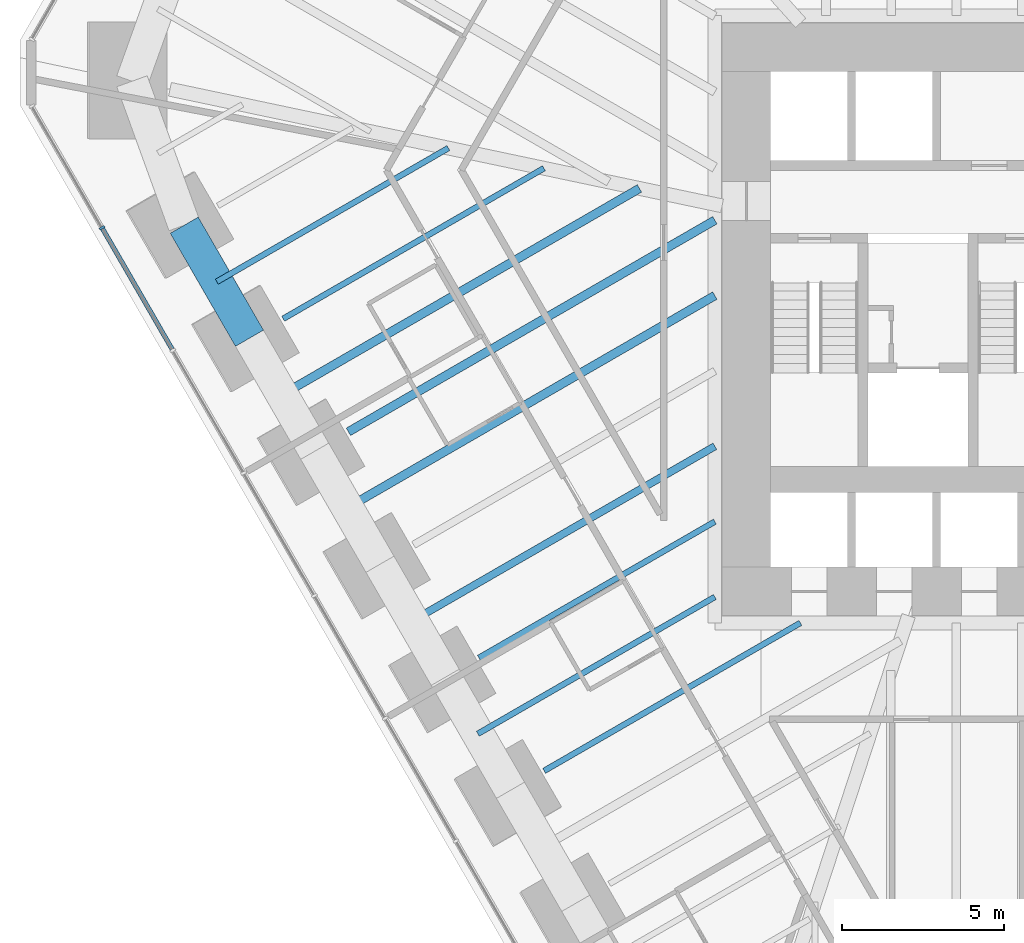
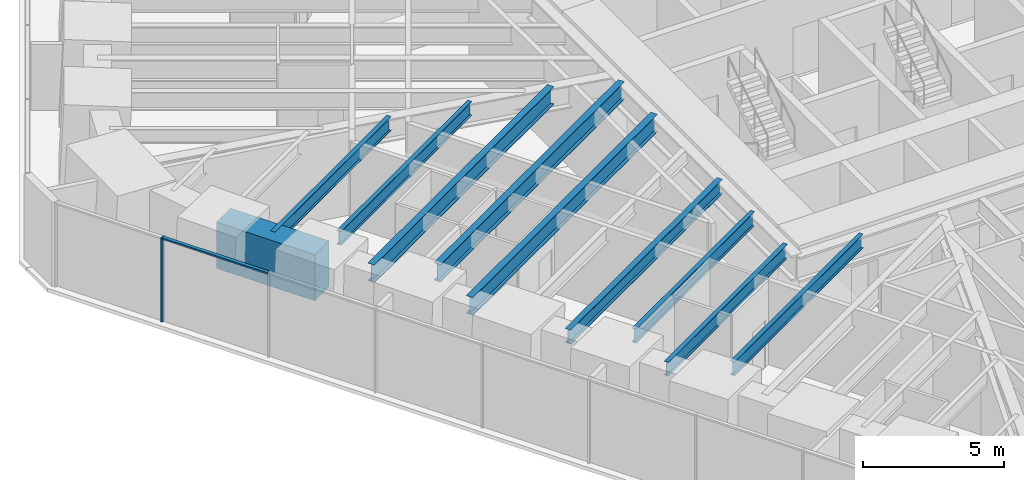
# One storey, part 3 of 17: 10 beams, 2 members, 1 element without a shape of its own.
"""IFC4 building model written with IfcOpenShell, lengths in metres."""

from ifc_helpers import new_model, si_unit, direction, frame, origin, origin_2d, place, context, subcontext, project, spatial, rectangle, i_section, extrude, material, material_profile, profile_set, type_object, element, aggregate, save


model = new_model("IFC4")

# Units and contexts
model_context = context("Model", 3, precision=1e-05, world=origin(), true_north=direction((0.0, 1.0)))
body_context = subcontext(model_context, "Body", "Model", "MODEL_VIEW")
ifc_project = project(units=[si_unit("LENGTHUNIT", "METRE"), si_unit("AREAUNIT", "SQUARE_METRE"), si_unit("VOLUMEUNIT", "CUBIC_METRE"), si_unit("PLANEANGLEUNIT", "RADIAN"), si_unit("MASSUNIT", "GRAM", prefix="KILO")], contexts=[model_context])

# Site, building, storey
site_placement = place(None, origin())
site = spatial("IfcSite", under=ifc_project, at=site_placement, CompositionType="ELEMENT")
building_placement = place(site_placement, origin())
building = spatial("IfcBuilding", under=site, at=building_placement, Name="Sandreach Pilgrim Tower", CompositionType="ELEMENT")
storey_placement = place(building_placement, frame((0.0, 0.0, 80.0)))
storey = spatial("IfcBuildingStorey", under=building, at=storey_placement, Name="L19", CompositionType="ELEMENT", Elevation=80.0)

# Curtain wall, members
ifc_material_1 = material(Name="Aluminium framed curtain wall", Category="aluminium")
curtain_wall_type = type_object("IfcCurtainWallType", Name="Hostel tower curtain wall", PredefinedType="NOTDEFINED", material=ifc_material_1)
curtain_wall_placement = place(storey_placement, origin())
curtain_wall = element("IfcCurtainWall", 1, at=curtain_wall_placement, inside=storey, type_object=curtain_wall_type, Name="CW-1 L19 SW", PredefinedType="NOTDEFINED")
ifc_material_2 = material(Name="Aluminium extrusion", Category="aluminium")
ifc_material_profile_1 = material_profile(ifc_material_2, rectangle(XDim=0.06494140625, YDim=0.179931640625, at=origin_2d()), Name="CW-1M 65X180")
ifc_profile_set_1 = profile_set([ifc_material_profile_1], Name="Aluminium extrusion")
member_type_1 = type_object("IfcMemberType", Name="CW-1 mullion", PredefinedType="MULLION", material=ifc_profile_set_1)
member_1_placement = place(storey_placement, frame((-28.390380859375, 1.2763671875, 0.0), z_axis=(0.0, 0.0, 1.0), x_axis=(-0.5, 0.866025403784, 0.0)))
member_1 = element("IfcMember", 2, at=member_1_placement, type_object=member_type_1, Name="CW-1 mullion 9", PredefinedType="MULLION", context=body_context, shape_type="SweptSolid", body=[
    extrude(rectangle(XDim=0.06494140625, YDim=0.179931640625, at=origin_2d()), origin(), (0.0, 0.0, 1.0), 3.639892578125),
])
ifc_material_3 = material(Name="Aluminium extrusion", Category="aluminium")
ifc_material_profile_2 = material_profile(ifc_material_3, rectangle(XDim=0.139892578125, YDim=0.070068359375, at=origin_2d()), Name="CW-1T 140X70")
ifc_profile_set_2 = profile_set([ifc_material_profile_2], Name="Aluminium extrusion")
member_type_2 = type_object("IfcMemberType", Name="CW-1 transom", PredefinedType="USERDEFINED", material=ifc_profile_set_2)
member_2_placement = place(storey_placement, frame((-26.220947265625, -2.4814453125, 3.60498046875), z_axis=(-0.500016891966, 0.866015650984, 0.0), x_axis=(-0.866015650984, -0.500016891966, 0.0)))
member_2 = element("IfcMember", 3, at=member_2_placement, type_object=member_type_2, Name="CW-1 head transom 8", ObjectType="TRANSOM", PredefinedType="USERDEFINED", context=body_context, shape_type="SweptSolid", body=[
    extrude(rectangle(XDim=0.139892578125, YDim=0.070068359375, at=origin_2d()), origin(), (0.0, 0.0, 1.0), 4.306396484375),
])
aggregate(curtain_wall, [member_1, member_2])

# Beams
ifc_material_4 = material(Name="Steel ASTM A992 Grade 50", Category="steel")
ifc_material_profile_3 = material_profile(ifc_material_4, i_section(OverallWidth=0.1787109375, OverallDepth=0.60205078125, WebThickness=0.010986328125, FlangeThickness=0.014892578125, at=origin_2d()), Name="W24X62")
ifc_profile_set_3 = profile_set([ifc_material_profile_3], Name="Steel ASTM A992 Grade 50")
beam_type_1 = type_object("IfcBeamType", Name="Floor beam W24X62", PredefinedType="BEAM", material=ifc_profile_set_3)
beam_1_placement = place(storey_placement, frame((-14.741943359375, -15.489013671875, 3.339111328125), z_axis=(0.866027125099, 0.499997018584, 0.0), x_axis=(-0.499997018584, 0.866027125099, 0.0)))
element("IfcBeam", 4, at=beam_1_placement, inside=storey, type_object=beam_type_1, Name="BM L19 F29", PredefinedType="BEAM", context=body_context, shape_type="SweptSolid", body=[
    extrude(i_section(OverallWidth=0.1787109375, OverallDepth=0.60205078125, WebThickness=0.010986328125, FlangeThickness=0.014892578125, at=origin_2d()), origin(), (0.0, 0.0, 1.0), 9.1337890625),
])
beam_2_placement = place(storey_placement, frame((-16.75634765625, -12.000244140625, 3.339111328125), z_axis=(0.866023174489, 0.500003861233, 0.0), x_axis=(-0.500003861233, 0.866023174489, 0.0)))
element("IfcBeam", 5, at=beam_2_placement, inside=storey, type_object=beam_type_1, Name="BM L19 F30", PredefinedType="BEAM", context=body_context, shape_type="SweptSolid", body=[
    extrude(i_section(OverallWidth=0.1787109375, OverallDepth=0.60205078125, WebThickness=0.010986328125, FlangeThickness=0.014892578125, at=origin_2d()), origin(), (0.0, 0.0, 1.0), 8.4111328125),
])
beam_3_placement = place(storey_placement, frame((-22.799072265625, -1.53369140625, 3.339111328125), z_axis=(0.866018501033, 0.500011955725, 0.0), x_axis=(-0.500011955725, 0.866018501033, 0.0)))
element("IfcBeam", 6, at=beam_3_placement, inside=storey, type_object=beam_type_1, Name="BM L19 F33", PredefinedType="BEAM", context=body_context, shape_type="SweptSolid", body=[
    extrude(i_section(OverallWidth=0.1787109375, OverallDepth=0.60205078125, WebThickness=0.010986328125, FlangeThickness=0.014892578125, at=origin_2d()), origin(), (0.0, 0.0, 1.0), 9.295166015625),
])
beam_4_placement = place(storey_placement, frame((-16.788330078125, -14.344482421875, 3.339111328125), z_axis=(0.866031103996, 0.499990126814, 0.0), x_axis=(-0.499990126814, 0.866031103996, 0.0)))
element("IfcBeam", 7, at=beam_4_placement, inside=storey, type_object=beam_type_1, Name="BM L19 FM29", PredefinedType="BEAM", context=body_context, shape_type="SweptSolid", body=[
    extrude(i_section(OverallWidth=0.1787109375, OverallDepth=0.60205078125, WebThickness=0.010986328125, FlangeThickness=0.014892578125, at=origin_2d()), origin(), (0.0, 0.0, 1.0), 8.447998046875),
])
beam_5_placement = place(storey_placement, frame((-24.845458984375, -0.38916015625, 3.339111328125), z_axis=(0.866027928545, 0.499995626961, 0.0), x_axis=(-0.499995626961, 0.866027928545, 0.0)))
element("IfcBeam", 8, at=beam_5_placement, inside=storey, type_object=beam_type_1, Name="BM L19 FM33", PredefinedType="BEAM", context=body_context, shape_type="SweptSolid", body=[
    extrude(i_section(OverallWidth=0.1787109375, OverallDepth=0.60205078125, WebThickness=0.010986328125, FlangeThickness=0.014892578125, at=origin_2d()), origin(), (0.0, 0.0, 1.0), 8.251953125),
])
ifc_material_5 = material(Name="Steel ASTM A992 Grade 50", Category="steel")
ifc_material_profile_4 = material_profile(ifc_material_5, i_section(OverallWidth=0.23046875, OverallDepth=0.6171875, WebThickness=0.01318359375, FlangeThickness=0.022216796875, at=origin_2d()), Name="W24X94")
ifc_profile_set_4 = profile_set([ifc_material_profile_4], Name="Steel ASTM A992 Grade 50")
beam_type_2 = type_object("IfcBeamType", Name="Floor beam W24X94", PredefinedType="BEAM", material=ifc_profile_set_4)
beam_6_placement = place(storey_placement, frame((-18.802734375, -10.855712890625, 3.331298828125), z_axis=(0.866027097238, 0.499997066842, 0.0), x_axis=(-0.499997066842, 0.866027097238, 0.0)))
element("IfcBeam", 9, at=beam_6_placement, inside=storey, type_object=beam_type_2, Name="BM L19 FM30", PredefinedType="BEAM", context=body_context, shape_type="SweptSolid", body=[
    extrude(i_section(OverallWidth=0.23046875, OverallDepth=0.6171875, WebThickness=0.01318359375, FlangeThickness=0.022216796875, at=origin_2d()), origin(), (0.0, 0.0, 1.0), 10.77392578125),
])
ifc_material_6 = material(Name="Steel ASTM A992 Grade 50", Category="steel")
ifc_material_profile_5 = material_profile(ifc_material_6, i_section(OverallWidth=0.2666015625, OverallDepth=0.761962890625, WebThickness=0.014404296875, FlangeThickness=0.021484375, at=origin_2d()), Name="W30X116")
ifc_profile_set_5 = profile_set([ifc_material_profile_5], Name="Steel ASTM A992 Grade 50")
beam_type_3 = type_object("IfcBeamType", Name="Floor beam W30X116", PredefinedType="BEAM", material=ifc_profile_set_5)
beam_7_placement = place(storey_placement, frame((-20.784912109375, -5.0224609375, 3.259033203125), z_axis=(0.866022809391, 0.500004493594, 0.0), x_axis=(-0.500004493594, 0.866022809391, 0.0)))
element("IfcBeam", 10, at=beam_7_placement, inside=storey, type_object=beam_type_3, Name="BM L19 F32", PredefinedType="BEAM", context=body_context, shape_type="SweptSolid", body=[
    extrude(i_section(OverallWidth=0.2666015625, OverallDepth=0.761962890625, WebThickness=0.014404296875, FlangeThickness=0.021484375, at=origin_2d()), origin(), (0.0, 0.0, 1.0), 13.06298828125),
])
beam_8_placement = place(storey_placement, frame((-20.81689453125, -7.366943359375, 3.259033203125), z_axis=(0.86601985405, 0.500009612299, 0.0), x_axis=(-0.500009612299, 0.86601985405, 0.0)))
element("IfcBeam", 11, at=beam_8_placement, inside=storey, type_object=beam_type_3, Name="BM L19 FM31", PredefinedType="BEAM", context=body_context, shape_type="SweptSolid", body=[
    extrude(i_section(OverallWidth=0.2666015625, OverallDepth=0.761962890625, WebThickness=0.014404296875, FlangeThickness=0.021484375, at=origin_2d()), origin(), (0.0, 0.0, 1.0), 13.099853515625),
])
beam_9_placement = place(storey_placement, frame((-22.831298828125, -3.8779296875, 3.259033203125), z_axis=(0.866031433821, 0.499989555525, 0.0), x_axis=(-0.499989555525, 0.866031433821, 0.0)))
element("IfcBeam", 12, at=beam_9_placement, inside=storey, type_object=beam_type_3, Name="BM L19 FM32", PredefinedType="BEAM", context=body_context, shape_type="SweptSolid", body=[
    extrude(i_section(OverallWidth=0.2666015625, OverallDepth=0.761962890625, WebThickness=0.014404296875, FlangeThickness=0.021484375, at=origin_2d()), origin(), (0.0, 0.0, 1.0), 12.738525390625),
])
ifc_material_7 = material(Name="Concrete 10000 psi", Category="concrete")
ifc_material_profile_6 = material_profile(ifc_material_7, rectangle(XDim=1.0, YDim=2.0, at=origin_2d()), Name="RC1000X2000")
ifc_profile_set_6 = profile_set([ifc_material_profile_6], Name="Concrete 10000 psi")
beam_type_4 = type_object("IfcBeamType", Name="Spandrel beam RC1000X2000", PredefinedType="SPANDREL", material=ifc_profile_set_6)
beam_10_placement = place(storey_placement, frame((-23.83837890625, -2.133544921875, 2.639892578125), z_axis=(-0.499984757355, 0.866034203951, 0.0), x_axis=(-0.866034203951, -0.499984757355, 0.0)))
element("IfcBeam", 13, at=beam_10_placement, inside=storey, type_object=beam_type_4, Name="BM L19 SP33", PredefinedType="SPANDREL", context=body_context, shape_type="SweptSolid", body=[
    extrude(rectangle(XDim=1.0, YDim=2.0, at=origin_2d()), origin(), (0.0, 0.0, 1.0), 4.028564453125),
])

save(model, "model.ifc")
